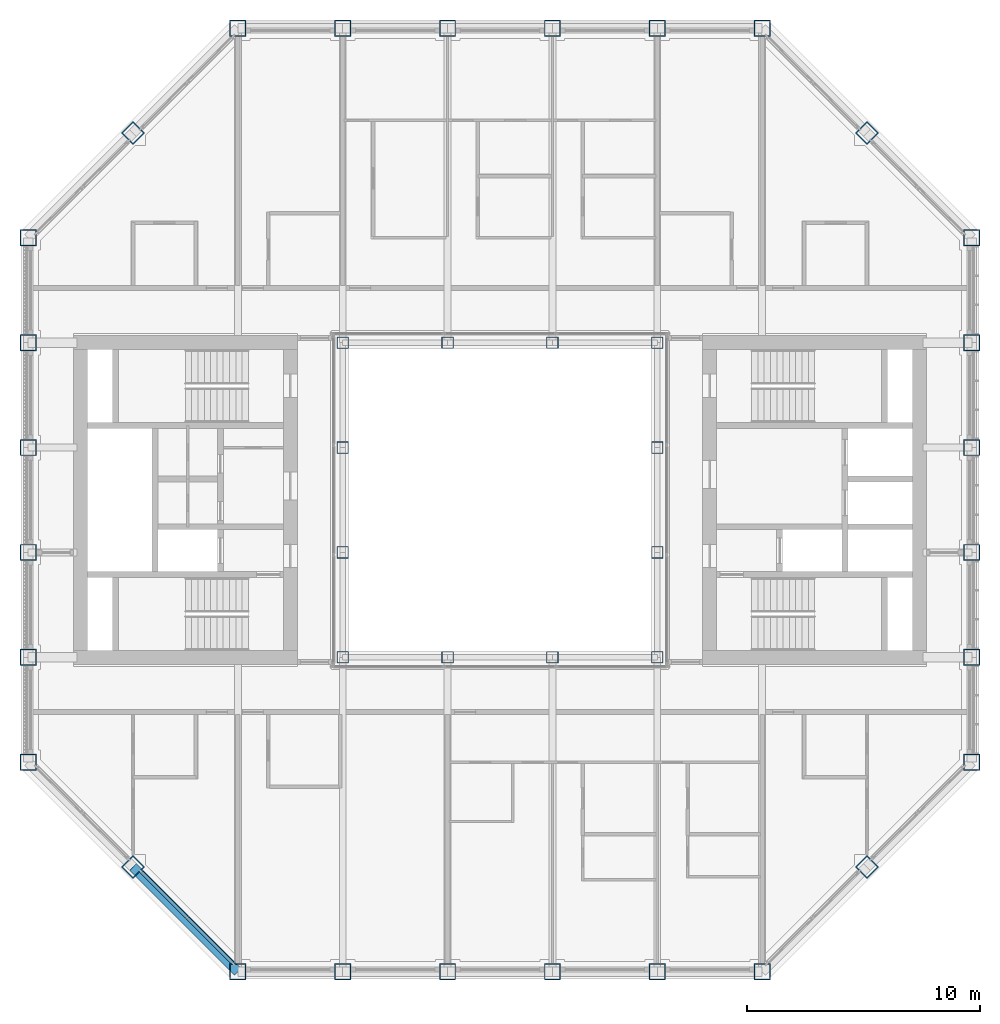
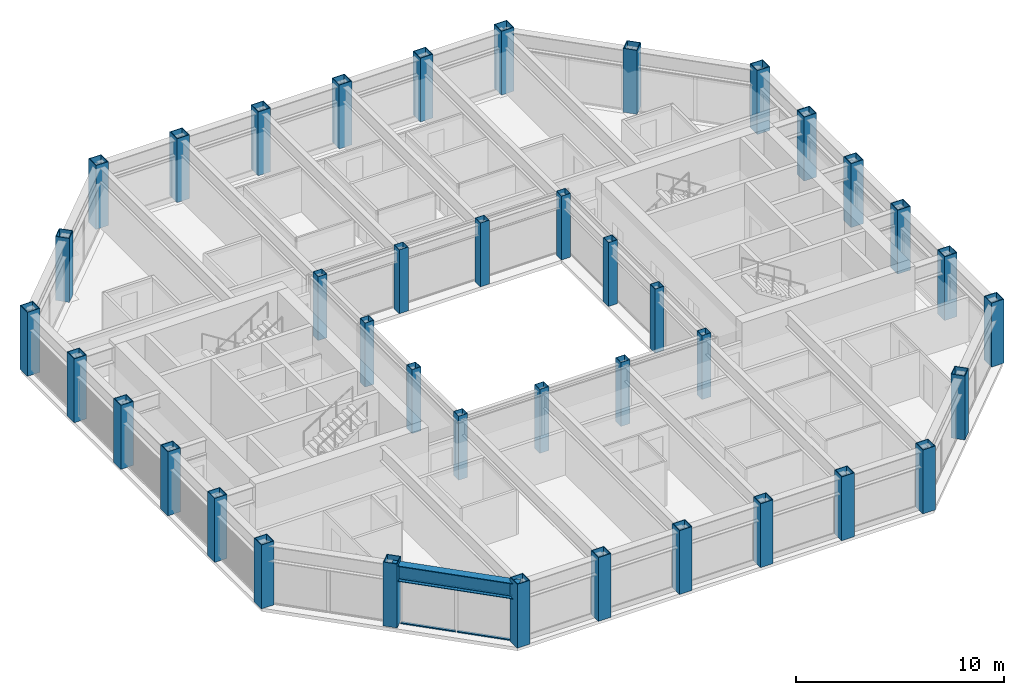
# One storey, part 1 of 17: 40 columns, 4 members, 1 beam, 1 element without a shape of its own.
"""IFC4 building model written with IfcOpenShell, lengths in metres."""

from ifc_helpers import new_model, si_unit, direction, frame, origin, origin_2d, place, context, subcontext, project, spatial, rectangle, hollow_rectangle, i_section, extrude, material, material_profile, profile_set, type_object, element, aggregate, save


model = new_model("IFC4")

# Units and contexts
model_context = context("Model", 3, precision=1e-05, world=origin(), true_north=direction((0.0, 1.0)))
body_context = subcontext(model_context, "Body", "Model", "MODEL_VIEW")
ifc_project = project(units=[si_unit("LENGTHUNIT", "METRE"), si_unit("AREAUNIT", "SQUARE_METRE"), si_unit("VOLUMEUNIT", "CUBIC_METRE"), si_unit("PLANEANGLEUNIT", "RADIAN"), si_unit("MASSUNIT", "GRAM", prefix="KILO")], contexts=[model_context])

# Site, building, storey
site_placement = place(None, origin())
site = spatial("IfcSite", under=ifc_project, at=site_placement, CompositionType="ELEMENT")
building_placement = place(site_placement, origin())
building = spatial("IfcBuilding", under=site, at=building_placement, Name="Msasa Ring Tower", CompositionType="ELEMENT")
storey_placement = place(building_placement, frame((0.0, 0.0, 234.550048828125)))
storey = spatial("IfcBuildingStorey", under=building, at=storey_placement, Name="L61", CompositionType="ELEMENT", Elevation=234.550048828125)

# Columns
ifc_material_1 = material(Name="Steel S355", Category="steel")
ifc_material_profile_1 = material_profile(ifc_material_1, hollow_rectangle(XDim=0.5, YDim=0.5, WallThickness=0.02490234375, at=origin_2d()), Name="BOX 500x500x25")
ifc_profile_set_1 = profile_set([ifc_material_profile_1], Name="Steel S355")
column_type_1 = type_object("IfcColumnType", Name="IC7 BOX 500x500x25", PredefinedType="COLUMN", material=ifc_profile_set_1)
for number, where, z_axis, x_axis, name in (
    (1, (-6.75, -6.75, 0.0), (0.0, 0.0, 1.0), (1.0, 0.0, 0.0), "Inner ring column IR-6.75-6.75 L61"),
    (2, (-6.75, -2.25, 0.0), (0.0, 0.0, 1.0), (1.0, 0.0, 0.0), "Inner ring column IR-6.75-2.25 L61"),
    (3, (-6.75, 2.25, 0.0), (0.0, 0.0, 1.0), (1.0, 0.0, 0.0), "Inner ring column IR-6.75+2.25 L61"),
    (4, (-6.75, 6.75, 0.0), (0.0, 0.0, 1.0), (1.0, 0.0, 0.0), "Inner ring column IR-6.75+6.75 L61"),
    (5, (-2.25, -6.75, 0.0), (0.0, 0.0, 1.0), (1.0, 0.0, 0.0), "Inner ring column IR-2.25-6.75 L61"),
    (6, (-2.25, 6.75, 0.0), (0.0, 0.0, 1.0), (1.0, 0.0, 0.0), "Inner ring column IR-2.25+6.75 L61"),
    (7, (2.25, -6.75, 0.0), (0.0, 0.0, 1.0), (1.0, 0.0, 0.0), "Inner ring column IR+2.25-6.75 L61"),
    (8, (2.25, 6.75, 0.0), (0.0, 0.0, 1.0), (1.0, 0.0, 0.0), "Inner ring column IR+2.25+6.75 L61"),
    (9, (6.75, -6.75, 0.0), (0.0, 0.0, 1.0), (1.0, 0.0, 0.0), "Inner ring column IR+6.75-6.75 L61"),
    (10, (6.75, -2.25, 0.0), (0.0, 0.0, 1.0), (1.0, 0.0, 0.0), "Inner ring column IR+6.75-2.25 L61"),
    (11, (6.75, 2.25, 0.0), (0.0, 0.0, 1.0), (1.0, 0.0, 0.0), "Inner ring column IR+6.75+2.25 L61"),
    (12, (6.75, 6.75, 0.0), (0.0, 0.0, 1.0), (1.0, 0.0, 0.0), "Inner ring column IR+6.75+6.75 L61"),
):
    element("IfcColumn", number, at=place(storey_placement, frame(where, z_axis=z_axis, x_axis=x_axis)), inside=storey, type_object=column_type_1, Name=name, PredefinedType="COLUMN", context=body_context, shape_type="SweptSolid", body=[
        extrude(hollow_rectangle(XDim=0.5, YDim=0.5, WallThickness=0.02490234375, at=origin_2d()), origin(), (0.0, 0.0, 1.0), 3.75),
    ])
ifc_material_2 = material(Name="Steel S355", Category="steel")
ifc_material_profile_2 = material_profile(ifc_material_2, hollow_rectangle(XDim=0.699951171875, YDim=0.699951171875, WallThickness=0.0400390625, at=origin_2d()), Name="BOX 700x700x40")
ifc_profile_set_2 = profile_set([ifc_material_profile_2], Name="Steel S355")
column_type_2 = type_object("IfcColumnType", Name="TC7 BOX 700x700x40", PredefinedType="COLUMN", material=ifc_profile_set_2)
for number, where, z_axis, x_axis, name in (
    (13, (-11.25, -20.25, 0.0), (0.0, 0.0, 1.0), (0.0, 1.0, 0.0), "Tube column S-11.25 L61"),
    (14, (-11.25, 20.25, 0.0), (0.0, 0.0, 1.0), (0.0, 1.0, 0.0), "Tube column N-11.25 L61"),
    (15, (20.25, -11.25, 0.0), (0.0, 0.0, 1.0), (1.0, 0.0, 0.0), "Tube column E-11.25 L61"),
    (16, (-20.25, -11.25, 0.0), (0.0, 0.0, 1.0), (1.0, 0.0, 0.0), "Tube column W-11.25 L61"),
    (17, (-6.75, -20.25, 0.0), (0.0, 0.0, 1.0), (0.0, 1.0, 0.0), "Tube column S-6.75 L61"),
    (18, (-6.75, 20.25, 0.0), (0.0, 0.0, 1.0), (0.0, 1.0, 0.0), "Tube column N-6.75 L61"),
    (19, (20.25, -6.75, 0.0), (0.0, 0.0, 1.0), (1.0, 0.0, 0.0), "Tube column E-6.75 L61"),
    (20, (-20.25, -6.75, 0.0), (0.0, 0.0, 1.0), (1.0, 0.0, 0.0), "Tube column W-6.75 L61"),
    (21, (-2.25, -20.25, 0.0), (0.0, 0.0, 1.0), (0.0, 1.0, 0.0), "Tube column S-2.25 L61"),
    (22, (-2.25, 20.25, 0.0), (0.0, 0.0, 1.0), (0.0, 1.0, 0.0), "Tube column N-2.25 L61"),
    (23, (20.25, -2.25, 0.0), (0.0, 0.0, 1.0), (1.0, 0.0, 0.0), "Tube column E-2.25 L61"),
    (24, (-20.25, -2.25, 0.0), (0.0, 0.0, 1.0), (1.0, 0.0, 0.0), "Tube column W-2.25 L61"),
    (25, (2.25, -20.25, 0.0), (0.0, 0.0, 1.0), (0.0, 1.0, 0.0), "Tube column S+2.25 L61"),
    (26, (2.25, 20.25, 0.0), (0.0, 0.0, 1.0), (0.0, 1.0, 0.0), "Tube column N+2.25 L61"),
    (27, (20.25, 2.25, 0.0), (0.0, 0.0, 1.0), (1.0, 0.0, 0.0), "Tube column E+2.25 L61"),
    (28, (-20.25, 2.25, 0.0), (0.0, 0.0, 1.0), (1.0, 0.0, 0.0), "Tube column W+2.25 L61"),
    (29, (6.75, -20.25, 0.0), (0.0, 0.0, 1.0), (0.0, 1.0, 0.0), "Tube column S+6.75 L61"),
    (30, (6.75, 20.25, 0.0), (0.0, 0.0, 1.0), (0.0, 1.0, 0.0), "Tube column N+6.75 L61"),
    (31, (20.25, 6.75, 0.0), (0.0, 0.0, 1.0), (1.0, 0.0, 0.0), "Tube column E+6.75 L61"),
    (32, (-20.25, 6.75, 0.0), (0.0, 0.0, 1.0), (1.0, 0.0, 0.0), "Tube column W+6.75 L61"),
    (33, (11.25, -20.25, 0.0), (0.0, 0.0, 1.0), (0.0, 1.0, 0.0), "Tube column S+11.25 L61"),
    (34, (11.25, 20.25, 0.0), (0.0, 0.0, 1.0), (0.0, 1.0, 0.0), "Tube column N+11.25 L61"),
    (35, (20.25, 11.25, 0.0), (0.0, 0.0, 1.0), (1.0, 0.0, 0.0), "Tube column E+11.25 L61"),
    (36, (-20.25, 11.25, 0.0), (0.0, 0.0, 1.0), (1.0, 0.0, 0.0), "Tube column W+11.25 L61"),
    (37, (15.75, -15.75, 0.0), (0.0, 0.0, 1.0), (0.707106781187, -0.707106781187, 0.0), "Tube column SE L61"),
    (38, (15.75, 15.75, 0.0), (0.0, 0.0, 1.0), (0.707106781187, 0.707106781187, 0.0), "Tube column NE L61"),
    (39, (-15.75, 15.75, 0.0), (0.0, 0.0, 1.0), (0.707106781187, -0.707106781187, 0.0), "Tube column NW L61"),
    (40, (-15.75, -15.75, 0.0), (0.0, 0.0, 1.0), (0.707106781187, 0.707106781187, 0.0), "Tube column SW L61"),
):
    element("IfcColumn", number, at=place(storey_placement, frame(where, z_axis=z_axis, x_axis=x_axis)), inside=storey, type_object=column_type_2, Name=name, PredefinedType="COLUMN", context=body_context, shape_type="SweptSolid", body=[
        extrude(hollow_rectangle(XDim=0.699951171875, YDim=0.699951171875, WallThickness=0.0400390625, at=origin_2d()), origin(), (0.0, 0.0, 1.0), 3.75),
    ])

# Curtain wall, members
ifc_material_3 = material(Name="Aluminium curtain wall with clear glass", Category="aluminium")
curtain_wall_type = type_object("IfcCurtainWallType", Name="CW-C CHAMFER CORNER CURTAIN WALL", PredefinedType="NOTDEFINED", material=ifc_material_3)
curtain_wall_placement = place(storey_placement, origin())
curtain_wall = element("IfcCurtainWall", 41, at=curtain_wall_placement, inside=storey, type_object=curtain_wall_type, Name="Chamfer corner curtain wall SW L61", PredefinedType="NOTDEFINED")
ifc_material_4 = material(Name="Aluminium transom", Category="aluminium")
ifc_material_profile_3 = material_profile(ifc_material_4, rectangle(XDim=0.139892578125, YDim=0.06494140625, at=origin_2d()), Name="AL 65x140")
ifc_profile_set_3 = profile_set([ifc_material_profile_3], Name="Aluminium transom")
member_type = type_object("IfcMemberType", Name="CW-C TRANSOM 65x140", PredefinedType="USERDEFINED", material=ifc_profile_set_3)
member_1_placement = place(storey_placement, frame((-15.38232421875, -15.976318359375, 0.032470703125), z_axis=(0.707106781187, -0.707106781187, 0.0), x_axis=(0.707106781187, 0.707106781187, 0.0)))
member_1 = element("IfcMember", 42, at=member_1_placement, type_object=member_type, Name="CW-C transom 1.1", ObjectType="TRANSOM", PredefinedType="USERDEFINED", context=body_context, shape_type="SweptSolid", body=[
    extrude(rectangle(XDim=0.139892578125, YDim=0.06494140625, at=origin_2d()), origin(), (0.0, 0.0, 1.0), 2.729248046875),
])
member_2_placement = place(storey_placement, frame((-15.38232421875, -15.976318359375, 2.596435546875), z_axis=(0.707106781187, -0.707106781187, 0.0), x_axis=(0.707106781187, 0.707106781187, 0.0)))
member_2 = element("IfcMember", 43, at=member_2_placement, type_object=member_type, Name="CW-C transom 1.2", ObjectType="TRANSOM", PredefinedType="USERDEFINED", context=body_context, shape_type="SweptSolid", body=[
    extrude(rectangle(XDim=0.139892578125, YDim=0.06494140625, at=origin_2d()), origin(), (0.0, 0.0, 1.0), 2.729248046875),
])
member_3_placement = place(storey_placement, frame((-13.40625, -17.952392578125, 0.032470703125), z_axis=(0.707106781187, -0.707106781187, 0.0), x_axis=(0.707106781187, 0.707106781187, 0.0)))
member_3 = element("IfcMember", 44, at=member_3_placement, type_object=member_type, Name="CW-C transom 2.1", ObjectType="TRANSOM", PredefinedType="USERDEFINED", context=body_context, shape_type="SweptSolid", body=[
    extrude(rectangle(XDim=0.139892578125, YDim=0.06494140625, at=origin_2d()), origin(), (0.0, 0.0, 1.0), 2.729248046875),
])
member_4_placement = place(storey_placement, frame((-13.40625, -17.952392578125, 2.596435546875), z_axis=(0.707106781187, -0.707106781187, 0.0), x_axis=(0.707106781187, 0.707106781187, 0.0)))
member_4 = element("IfcMember", 45, at=member_4_placement, type_object=member_type, Name="CW-C transom 2.2", ObjectType="TRANSOM", PredefinedType="USERDEFINED", context=body_context, shape_type="SweptSolid", body=[
    extrude(rectangle(XDim=0.139892578125, YDim=0.06494140625, at=origin_2d()), origin(), (0.0, 0.0, 1.0), 2.729248046875),
])
aggregate(curtain_wall, [member_1, member_2, member_3, member_4])

# Beam
ifc_material_5 = material(Name="Steel S355", Category="steel")
ifc_material_profile_4 = material_profile(ifc_material_5, i_section(OverallWidth=0.42041015625, OverallDepth=0.9208984375, WebThickness=0.021484375, FlangeThickness=0.03662109375, FilletRadius=0.024169921875, at=origin_2d()), Name="UB 914x419x388")
ifc_profile_set_4 = profile_set([ifc_material_profile_4], Name="Steel S355")
beam_type = type_object("IfcBeamType", Name="SB1 UB 914x419x388", PredefinedType="SPANDREL", material=ifc_profile_set_4)
beam_placement = place(storey_placement, frame((-15.75, -15.75, 3.08935546875), z_axis=(0.707106781187, -0.707106781187, 0.0), x_axis=(0.707106781187, 0.707106781187, 0.0)))
element("IfcBeam", 46, at=beam_placement, inside=storey, type_object=beam_type, Name="Spandrel SW to S-11.25 under L62", PredefinedType="SPANDREL", context=body_context, shape_type="SweptSolid", body=[
    extrude(i_section(OverallWidth=0.42041015625, OverallDepth=0.9208984375, WebThickness=0.021484375, FlangeThickness=0.03662109375, FilletRadius=0.024169921875, at=origin_2d()), origin(), (0.0, 0.0, 1.0), 6.364013671875),
])

save(model, "model.ifc")
